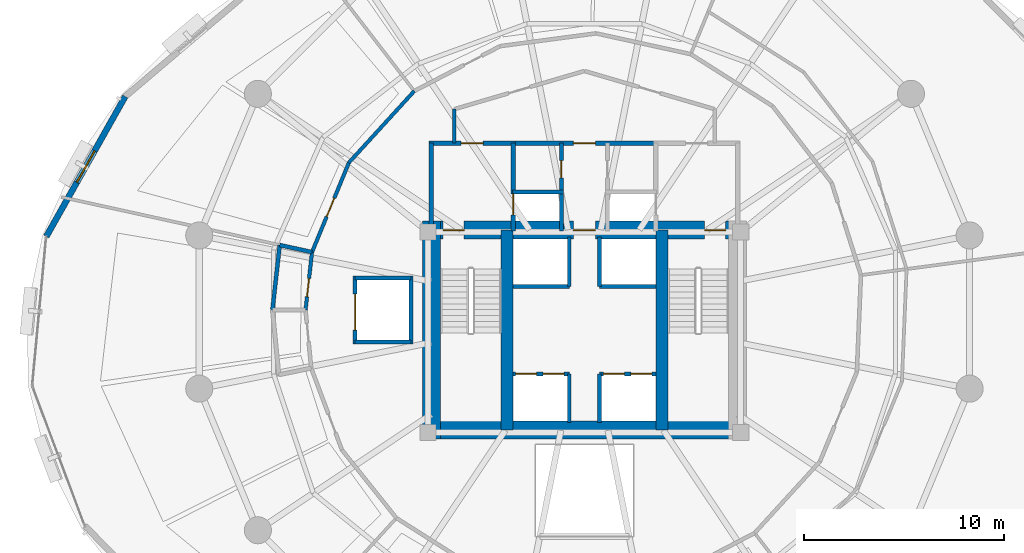
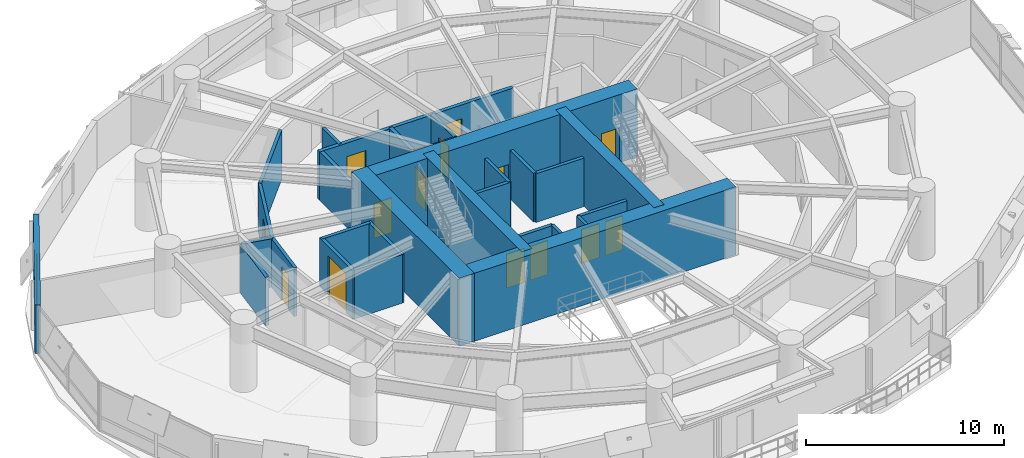
# One storey, part 12 of 17: 30 walls, 14 doors, 1 window, 15 openings.
"""IFC4 building model written with IfcOpenShell, lengths in metres."""

from ifc_helpers import new_model, si_unit, direction, frame, frame_2d, origin, place, context, subcontext, project, spatial, rectangle, extrude, material, layer, layer_set, type_object, element, fill, save


model = new_model("IFC4")

# Units and contexts
model_context = context("Model", 3, precision=1e-05, world=origin(), true_north=direction((0.0, 1.0)))
body_context = subcontext(model_context, "Body", "Model", "MODEL_VIEW")
ifc_project = project(units=[si_unit("LENGTHUNIT", "METRE"), si_unit("AREAUNIT", "SQUARE_METRE"), si_unit("VOLUMEUNIT", "CUBIC_METRE"), si_unit("PLANEANGLEUNIT", "RADIAN"), si_unit("MASSUNIT", "GRAM", prefix="KILO"), si_unit("THERMODYNAMICTEMPERATUREUNIT", "KELVIN"), si_unit("POWERUNIT", "WATT")], contexts=[model_context])

# Site, building, storey
site_placement = place(None, origin())
site = spatial("IfcSite", under=ifc_project, at=site_placement, CompositionType="ELEMENT")
building_placement = place(site_placement, origin())
building = spatial("IfcBuilding", under=site, at=building_placement, Name="Ocrelia Relay Tower", CompositionType="ELEMENT")
storey_placement = place(building_placement, frame((0.0, 0.0, 63.60009765625)))
storey = spatial("IfcBuildingStorey", under=building, at=storey_placement, Name="L14", CompositionType="ELEMENT", Elevation=63.60009765625)

# Wall
ifc_material_1 = material(Name="Concrete C70/85", Category="concrete")
ifc_layer_1 = layer(ifc_material_1, 0.89990234375, Name="Concrete C70/85")
ifc_layer_set_1 = layer_set([ifc_layer_1], Name="Concrete C70/85")
wall_type_1 = type_object("IfcWallType", Name="CW-CORE-900", PredefinedType="SHEAR", material=ifc_layer_set_1)
wall_1_placement = place(storey_placement, frame((25.922119140625, 20.112060546875, 0.0), z_axis=(0.0, 0.0, 1.0), x_axis=(1.0, 0.0, 0.0)))
element("IfcWall", 1, at=wall_1_placement, inside=storey, type_object=wall_type_1, Name="L14 Core Shear Wall S", PredefinedType="SHEAR", context=body_context, shape_type="SweptSolid", body=[
    extrude(rectangle(XDim=16.165771484375, YDim=0.89990234375, at=frame_2d((8.0830078125, 0.0))), origin(), (0.0, 0.0, 1.0), 4.199951171875),
])

# Wall, openings, doors
wall_2_placement = place(storey_placement, frame((25.922119140625, 30.087890625, 0.0), z_axis=(0.0, 0.0, 1.0), x_axis=(1.0, 0.0, 0.0)))
wall_2 = element("IfcWall", 2, at=wall_2_placement, inside=storey, type_object=wall_type_1, Name="L14 Core Shear Wall N", PredefinedType="SHEAR", context=body_context, shape_type="SweptSolid", body=[
    extrude(rectangle(XDim=16.165771484375, YDim=0.89990234375, at=frame_2d((8.0830078125, 0.0))), origin(), (0.0, 0.0, 1.0), 4.199951171875),
])
opening_1_placement = place(wall_2_placement, frame((1.028076171875, 0.0, 0.0)))
opening_1 = element("IfcOpeningElement", 3, at=opening_1_placement, cuts=wall_2, Name="Opening D-FD90", PredefinedType="OPENING", context=body_context, shape_type="SweptSolid", body=[
    extrude(rectangle(XDim=1.050048828125, YDim=2.14990234375, at=frame_2d((0.52490234375, 1.074951171875))), frame((0.0, 0.4599609375, 0.0), z_axis=(0.0, -1.0, 0.0), x_axis=(1.0, 0.0, 0.0)), (0.0, 0.0, 1.0), 0.919921875),
])
opening_2_placement = place(wall_2_placement, frame((14.077880859375, 0.0, 0.0)))
opening_2 = element("IfcOpeningElement", 4, at=opening_2_placement, cuts=wall_2, Name="Opening D-FD90", PredefinedType="OPENING", context=body_context, shape_type="SweptSolid", body=[
    extrude(rectangle(XDim=1.050048828125, YDim=2.14990234375, at=frame_2d((0.52490234375, 1.074951171875))), frame((0.0, 0.4599609375, 0.0), z_axis=(0.0, -1.0, 0.0), x_axis=(1.0, 0.0, 0.0)), (0.0, 0.0, 1.0), 0.919921875),
])
opening_3_placement = place(wall_2_placement, frame((7.528076171875, 0.0, 0.0)))
opening_3 = element("IfcOpeningElement", 5, at=opening_3_placement, cuts=wall_2, Name="Opening D-FD60", PredefinedType="OPENING", context=body_context, shape_type="SweptSolid", body=[
    extrude(rectangle(XDim=1.10009765625, YDim=2.14990234375, at=frame_2d((0.550048828125, 1.074951171875))), frame((0.0, 0.4599609375, 0.0), z_axis=(0.0, -1.0, 0.0), x_axis=(1.0, 0.0, 0.0)), (0.0, 0.0, 1.0), 0.919921875),
])
ifc_material_2 = material(Name="Timber-core 60-min acoustic fire door", Category="wood")
door_type_1 = type_object("IfcDoorType", Name="DR-LOBBY-FD60-1100", OperationType="NOTDEFINED", PredefinedType="DOOR", material=ifc_material_2)
door_1_placement = place(opening_3_placement, origin())
door_1 = element("IfcDoor", 6, at=door_1_placement, inside=storey, type_object=door_type_1, Name="L14 Core Lift Lobby North Fire Door", OperationType="SINGLE_SWING_RIGHT", OverallHeight=2.14990234375, OverallWidth=1.10009765625, PredefinedType="DOOR", context=body_context, shape_type="SweptSolid", body=[
    extrude(rectangle(XDim=1.10009765625, YDim=2.14990234375, at=frame_2d((0.550048828125, 1.074951171875))), frame((0.0, 0.02490234375, 0.0), z_axis=(0.0, -1.0, 0.0), x_axis=(1.0, 0.0, 0.0)), (0.0, 0.0, 1.0), 0.050048828125),
])
fill(opening_3, door_1)
ifc_material_3 = material(Name="Steel S355 90-min fire door", Category="steel")
door_type_2 = type_object("IfcDoorType", Name="DR-STAIR-FD90-1050", OperationType="NOTDEFINED", PredefinedType="DOOR", material=ifc_material_3)
door_2_placement = place(opening_1_placement, origin())
door_2 = element("IfcDoor", 7, at=door_2_placement, inside=storey, type_object=door_type_2, Name="L14 Stair ST1 Fire Door", OperationType="SINGLE_SWING_RIGHT", OverallHeight=2.14990234375, OverallWidth=1.050048828125, PredefinedType="DOOR", context=body_context, shape_type="SweptSolid", body=[
    extrude(rectangle(XDim=1.050048828125, YDim=2.14990234375, at=frame_2d((0.52490234375, 1.074951171875))), frame((0.0, 0.02490234375, 0.0), z_axis=(0.0, -1.0, 0.0), x_axis=(1.0, 0.0, 0.0)), (0.0, 0.0, 1.0), 0.050048828125),
])
fill(opening_1, door_2)
door_3_placement = place(opening_2_placement, origin())
door_3 = element("IfcDoor", 8, at=door_3_placement, inside=storey, type_object=door_type_2, Name="L14 Stair ST2 Fire Door", OperationType="SINGLE_SWING_LEFT", OverallHeight=2.14990234375, OverallWidth=1.050048828125, PredefinedType="DOOR", context=body_context, shape_type="SweptSolid", body=[
    extrude(rectangle(XDim=1.050048828125, YDim=2.14990234375, at=frame_2d((0.52490234375, 1.074951171875))), frame((0.0, 0.02490234375, 0.0), z_axis=(0.0, -1.0, 0.0), x_axis=(1.0, 0.0, 0.0)), (0.0, 0.0, 1.0), 0.050048828125),
])
fill(opening_2, door_3)

# Walls
wall_3_placement = place(storey_placement, frame((26.3720703125, 19.662109375, 0.0), z_axis=(0.0, 0.0, 1.0), x_axis=(0.0, 1.0, 0.0)))
element("IfcWall", 9, at=wall_3_placement, inside=storey, type_object=wall_type_1, Name="L14 Core Shear Wall W", PredefinedType="SHEAR", context=body_context, shape_type="SweptSolid", body=[
    extrude(rectangle(XDim=10.8759765625, YDim=0.89990234375, at=frame_2d((5.43798828125, 0.0))), origin(), (0.0, 0.0, 1.0), 4.199951171875),
])
for number, where, z_axis, x_axis, name in (
    (10, (30.137939453125, 20.112060546875, 0.0), (0.0, 0.0, 1.0), (0.0, 1.0, 0.0), "L14 Core Shear Wall SPW"),
    (11, (37.8720703125, 20.112060546875, 0.0), (0.0, 0.0, 1.0), (0.0, 1.0, 0.0), "L14 Core Shear Wall SPE"),
):
    element("IfcWall", number, at=place(storey_placement, frame(where, z_axis=z_axis, x_axis=x_axis)), inside=storey, type_object=wall_type_1, Name=name, PredefinedType="SHEAR", context=body_context, shape_type="SweptSolid", body=[
        extrude(rectangle(XDim=9.975830078125, YDim=0.60009765625, at=frame_2d((4.98779296875, 0.0))), origin(), (0.0, 0.0, 1.0), 4.199951171875),
    ])
ifc_material_4 = material(Name="Gypsum Fireboard Partition EI60", Category="gypsum")
ifc_layer_2 = layer(ifc_material_4, 0.179931640625, Name="Gypsum Fireboard Partition EI60")
ifc_layer_set_2 = layer_set([ifc_layer_2], Name="Gypsum Fireboard Partition EI60")
wall_type_2 = type_object("IfcWallType", Name="W-CORR-EI60-180", PredefinedType="PARTITIONING", material=ifc_layer_set_2)
wall_4_placement = place(storey_placement, frame((27.5, 34.429931640625, 0.0), z_axis=(0.0, 0.0, 1.0), x_axis=(0.0, 1.0, 0.0)))
element("IfcWall", 12, at=wall_4_placement, inside=storey, type_object=wall_type_2, Name="L14 Smoke Lobby West Return", PredefinedType="PARTITIONING", context=body_context, shape_type="SweptSolid", body=[
    extrude(rectangle(XDim=1.69287109375, YDim=0.179931640625, at=frame_2d((0.846435546875, 0.0))), origin(), (0.0, 0.0, 1.0), 3.0),
])

# Wall, opening, door
wall_5_placement = place(storey_placement, frame((20.40478515625, 28.989013671875, 0.0), z_axis=(0.0, 0.0, 1.0), x_axis=(-0.111499619196, -0.993764476583, 0.0)))
wall_5 = element("IfcWall", 13, at=wall_5_placement, inside=storey, type_object=wall_type_2, Name="L14 Staff Toilet Corridor Wall", PredefinedType="PARTITIONING", context=body_context, shape_type="SweptSolid", body=[
    extrude(rectangle(XDim=2.909912109375, YDim=0.179931640625, at=frame_2d((1.455078125, 0.0))), origin(), (0.0, 0.0, 1.0), 3.0),
])
opening_4_placement = place(wall_5_placement, frame((1.321044921875, 0.0, 0.0)))
opening_4 = element("IfcOpeningElement", 14, at=opening_4_placement, cuts=wall_5, Name="Opening D-WC92", PredefinedType="OPENING", context=body_context, shape_type="SweptSolid", body=[
    extrude(rectangle(XDim=0.919921875, YDim=2.10009765625, at=frame_2d((0.4599609375, 1.050048828125))), frame((0.0, 0.10009765625, 0.0), z_axis=(0.0, -1.0, 0.0), x_axis=(1.0, 0.0, 0.0)), (0.0, 0.0, 1.0), 0.199951171875),
])
ifc_material_5 = material(Name="Laminate washroom door", Category="wood")
door_type_3 = type_object("IfcDoorType", Name="DR-WC-920", OperationType="NOTDEFINED", PredefinedType="DOOR", material=ifc_material_5)
door_4_placement = place(opening_4_placement, origin())
door_4 = element("IfcDoor", 15, at=door_4_placement, inside=storey, type_object=door_type_3, Name="L14 Staff Toilet Door", OperationType="SINGLE_SWING_RIGHT", OverallHeight=2.10009765625, OverallWidth=0.919921875, PredefinedType="DOOR", context=body_context, shape_type="SweptSolid", body=[
    extrude(rectangle(XDim=0.919921875, YDim=2.10009765625, at=frame_2d((0.4599609375, 1.050048828125))), frame((0.0, 0.02490234375, 0.0), z_axis=(0.0, -1.0, 0.0), x_axis=(1.0, 0.0, 0.0)), (0.0, 0.0, 1.0), 0.050048828125),
])
fill(opening_4, door_4)

# Wall
wall_6_placement = place(storey_placement, frame((25.5068359375, 37.02880859375, 0.0), z_axis=(0.0, 0.0, 1.0), x_axis=(-0.674284930573, -0.738471280689, 0.0)))
element("IfcWall", 16, at=wall_6_placement, inside=storey, type_object=wall_type_2, Name="L14 Executive Reading Study Corridor Partition 1", PredefinedType="PARTITIONING", context=body_context, shape_type="SweptSolid", body=[
    extrude(rectangle(XDim=4.83447265625, YDim=0.179931640625, at=frame_2d((2.417236328125, 0.0))), origin(), (0.0, 0.0, 1.0), 3.0),
])

# Wall, opening, door
wall_7_placement = place(storey_placement, frame((22.2470703125, 33.458740234375, 0.0), z_axis=(0.0, 0.0, 1.0), x_axis=(-0.381069812318, -0.92454626609, 0.0)))
wall_7 = element("IfcWall", 17, at=wall_7_placement, inside=storey, type_object=wall_type_2, Name="L14 Executive Reading Study Corridor Partition 2", PredefinedType="PARTITIONING", context=body_context, shape_type="SweptSolid", body=[
    extrude(rectangle(XDim=4.83447265625, YDim=0.179931640625, at=frame_2d((2.417236328125, 0.0))), origin(), (0.0, 0.0, 1.0), 3.0),
])
opening_5_placement = place(wall_7_placement, frame((1.917236328125, 0.0, 0.0)))
opening_5 = element("IfcOpeningElement", 18, at=opening_5_placement, cuts=wall_7, Name="Opening D-RM100", PredefinedType="OPENING", context=body_context, shape_type="SweptSolid", body=[
    extrude(rectangle(XDim=1.0, YDim=2.14990234375, at=frame_2d((0.5, 1.074951171875))), frame((0.0, 0.10009765625, 0.0), z_axis=(0.0, -1.0, 0.0), x_axis=(1.0, 0.0, 0.0)), (0.0, 0.0, 1.0), 0.199951171875),
])
ifc_material_6 = material(Name="Acoustic oak veneer fire door", Category="wood")
door_type_4 = type_object("IfcDoorType", Name="DR-ROOM-FD60-1000", OperationType="NOTDEFINED", PredefinedType="DOOR", material=ifc_material_6)
door_5_placement = place(opening_5_placement, origin())
door_5 = element("IfcDoor", 19, at=door_5_placement, inside=storey, type_object=door_type_4, Name="L14 Executive Reading Study Entrance Door", OperationType="SINGLE_SWING_LEFT", OverallHeight=2.14990234375, OverallWidth=1.0, PredefinedType="DOOR", context=body_context, shape_type="SweptSolid", body=[
    extrude(rectangle(XDim=1.0, YDim=2.14990234375, at=frame_2d((0.5, 1.074951171875))), frame((0.0, 0.02490234375, 0.0), z_axis=(0.0, -1.0, 0.0), x_axis=(1.0, 0.0, 0.0)), (0.0, 0.0, 1.0), 0.050048828125),
])
fill(opening_5, door_5)

# Wall, opening, window
ifc_material_7 = material(Name="Precast concrete C40/50 with oxide terracotta", Category="masonry")
ifc_layer_3 = layer(ifc_material_7, 0.300048828125, Name="Precast concrete C40/50 with oxide terracotta")
ifc_layer_set_3 = layer_set([ifc_layer_3], Name="Precast concrete C40/50 with oxide terracotta")
wall_type_3 = type_object("IfcWallType", Name="W-EXT-TERR-300", PredefinedType="SOLIDWALL", material=ifc_layer_set_3)
wall_8_placement = place(storey_placement, frame((11.080322265625, 36.754638671875, 0.0), z_axis=(0.0, 0.0, 1.0), x_axis=(-0.490895470353, -0.871218478446, 0.0)))
wall_8 = element("IfcWall", 20, at=wall_8_placement, inside=storey, type_object=wall_type_3, Name="L14 Oxide Terracotta Facade Wall 08", PredefinedType="SOLIDWALL", context=body_context, shape_type="SweptSolid", body=[
    extrude(rectangle(XDim=8.021484375, YDim=0.300048828125, at=frame_2d((4.0107421875, 0.0))), origin(), (0.0, 0.0, 1.0), 3.0),
])
opening_6_placement = place(wall_8_placement, frame((3.111083984375, 0.0, 0.800048828125)))
opening_6 = element("IfcOpeningElement", 21, at=opening_6_placement, cuts=wall_8, Name="Opening W-02", PredefinedType="OPENING", context=body_context, shape_type="SweptSolid", body=[
    extrude(rectangle(XDim=1.800048828125, YDim=1.949951171875, at=frame_2d((0.89990234375, 0.97509765625))), frame((0.0, 0.16015625, 0.0), z_axis=(0.0, -1.0, 0.0), x_axis=(1.0, 0.0, 0.0)), (0.0, 0.0, 1.0), 0.320068359375),
])
ifc_material_8 = material(Name="Clear double-glazed low-E glass", Category="glass")
window_type = type_object("IfcWindowType", Name="WIN-Z1-1800x2100", PartitioningType="DOUBLE_PANEL_VERTICAL", PredefinedType="WINDOW", material=ifc_material_8)
window_placement = place(opening_6_placement, origin())
window = element("IfcWindow", 22, at=window_placement, inside=storey, type_object=window_type, Name="L14 Facade Module Window 08", OverallHeight=1.949951171875, OverallWidth=1.800048828125, PartitioningType="SINGLE_PANEL", PredefinedType="WINDOW", context=body_context, shape_type="SweptSolid", body=[
    extrude(rectangle(XDim=1.800048828125, YDim=1.949951171875, at=frame_2d((0.89990234375, 0.97509765625))), frame((0.0, 0.030029296875, 0.0), z_axis=(0.0, -1.0, 0.0), x_axis=(1.0, 0.0, 0.0)), (0.0, 0.0, 1.0), 0.06005859375),
])
fill(opening_6, window)

# Wall
ifc_material_9 = material(Name="Concrete C50/60", Category="concrete")
ifc_layer_4 = layer(ifc_material_9, 0.219970703125, Name="Concrete C50/60")
ifc_layer_set_4 = layer_set([ifc_layer_4], Name="Concrete C50/60")
wall_type_4 = type_object("IfcWallType", Name="W-FFL-EI120-220", PredefinedType="SOLIDWALL", material=ifc_layer_set_4)
wall_9_placement = place(storey_placement, frame((26.35009765625, 30.050048828125, 0.0), z_axis=(0.0, 0.0, 1.0), x_axis=(0.0, 1.0, 0.0)))
element("IfcWall", 23, at=wall_9_placement, inside=storey, type_object=wall_type_4, Name="L14 W Fire Service Lift Lobby West Wall", PredefinedType="SOLIDWALL", context=body_context, shape_type="SweptSolid", body=[
    extrude(rectangle(XDim=4.3798828125, YDim=0.219970703125, at=frame_2d((2.18994140625, 0.0))), origin(), (0.0, 0.0, 1.0), 3.0),
])

# Wall, opening, door
wall_10_placement = place(storey_placement, frame((30.43994140625, 30.050048828125, 0.0), z_axis=(0.0, 0.0, 1.0), x_axis=(0.0, 1.0, 0.0)))
wall_10 = element("IfcWall", 24, at=wall_10_placement, inside=storey, type_object=wall_type_4, Name="L14 W Fire Service Lift Lobby East Wall", PredefinedType="SOLIDWALL", context=body_context, shape_type="SweptSolid", body=[
    extrude(rectangle(XDim=4.3798828125, YDim=0.219970703125, at=frame_2d((2.18994140625, 0.0))), origin(), (0.0, 0.0, 1.0), 3.0),
])
opening_7_placement = place(wall_10_placement, frame((0.800048828125, 0.0, 0.0)))
opening_7 = element("IfcOpeningElement", 25, at=opening_7_placement, cuts=wall_10, Name="Opening LD-FFL1", PredefinedType="OPENING", context=body_context, shape_type="SweptSolid", body=[
    extrude(rectangle(XDim=1.050048828125, YDim=2.10009765625, at=frame_2d((0.52490234375, 1.050048828125))), frame((0.0, 0.1201171875, 0.0), z_axis=(0.0, -1.0, 0.0), x_axis=(1.0, 0.0, 0.0)), (0.0, 0.0, 1.0), 0.239990234375),
])
ifc_material_10 = material(Name="Brushed stainless steel S355 lift landing door", Category="steel")
door_type_5 = type_object("IfcDoorType", Name="DR-LIFT-LAND-1050", OperationType="DOUBLE_DOOR_SLIDING", PredefinedType="USERDEFINED", material=ifc_material_10)
door_6_placement = place(opening_7_placement, origin())
door_6 = element("IfcDoor", 26, at=door_6_placement, inside=storey, type_object=door_type_5, Name="L14 Firefighting Lift FFL1 Sliding Landing Door", ObjectType="LANDING DOOR", OperationType="DOUBLE_DOOR_SLIDING", OverallHeight=2.10009765625, OverallWidth=1.050048828125, PredefinedType="USERDEFINED", context=body_context, shape_type="SweptSolid", body=[
    extrude(rectangle(XDim=1.050048828125, YDim=2.10009765625, at=frame_2d((0.52490234375, 1.050048828125))), frame((0.0, 0.02490234375, 0.0), z_axis=(0.0, -1.0, 0.0), x_axis=(1.0, 0.0, 0.0)), (0.0, 0.0, 1.0), 0.050048828125),
])
fill(opening_7, door_6)

wall_11_placement = place(storey_placement, frame((26.239990234375, 34.429931640625, 0.0), z_axis=(0.0, 0.0, 1.0), x_axis=(1.0, 0.0, 0.0)))
wall_11 = element("IfcWall", 27, at=wall_11_placement, inside=storey, type_object=wall_type_4, Name="L14 W Fire Service Lift Lobby North Wall", PredefinedType="SOLIDWALL", context=body_context, shape_type="SweptSolid", body=[
    extrude(rectangle(XDim=4.31005859375, YDim=0.219970703125, at=frame_2d((2.155029296875, 0.0))), origin(), (0.0, 0.0, 1.0), 3.0),
])
opening_8_placement = place(wall_11_placement, frame((1.60009765625, 0.0, 0.0)))
opening_8 = element("IfcOpeningElement", 28, at=opening_8_placement, cuts=wall_11, Name="Opening D-FD60", PredefinedType="OPENING", context=body_context, shape_type="SweptSolid", body=[
    extrude(rectangle(XDim=1.10009765625, YDim=2.14990234375, at=frame_2d((0.550048828125, 1.074951171875))), frame((0.0, 0.1201171875, 0.0), z_axis=(0.0, -1.0, 0.0), x_axis=(1.0, 0.0, 0.0)), (0.0, 0.0, 1.0), 0.239990234375),
])
door_7_placement = place(opening_8_placement, origin())
door_7 = element("IfcDoor", 29, at=door_7_placement, inside=storey, type_object=door_type_1, Name="L14 W Fire Service Lift Lobby Exit Door", OperationType="SINGLE_SWING_LEFT", OverallHeight=2.14990234375, OverallWidth=1.10009765625, PredefinedType="DOOR", context=body_context, shape_type="SweptSolid", body=[
    extrude(rectangle(XDim=1.10009765625, YDim=2.14990234375, at=frame_2d((0.550048828125, 1.074951171875))), frame((0.0, 0.02490234375, 0.0), z_axis=(0.0, -1.0, 0.0), x_axis=(1.0, 0.0, 0.0)), (0.0, 0.0, 1.0), 0.050048828125),
])
fill(opening_8, door_7)

wall_12_placement = place(storey_placement, frame((30.43994140625, 34.429931640625, 0.0), z_axis=(0.0, 0.0, 1.0), x_axis=(1.0, 0.0, 0.0)))
wall_12 = element("IfcWall", 30, at=wall_12_placement, inside=storey, type_object=wall_type_4, Name="L14 North Core Vestibule Wall", PredefinedType="SOLIDWALL", context=body_context, shape_type="SweptSolid", body=[
    extrude(rectangle(XDim=7.1201171875, YDim=0.219970703125, at=frame_2d((3.56005859375, 0.0))), origin(), (0.0, 0.0, 1.0), 3.0),
])
opening_9_placement = place(wall_12_placement, frame((3.010009765625, 0.0, 0.0)))
opening_9 = element("IfcOpeningElement", 31, at=opening_9_placement, cuts=wall_12, Name="Opening D-FD60", PredefinedType="OPENING", context=body_context, shape_type="SweptSolid", body=[
    extrude(rectangle(XDim=1.10009765625, YDim=2.14990234375, at=frame_2d((0.550048828125, 1.074951171875))), frame((0.0, 0.1201171875, 0.0), z_axis=(0.0, -1.0, 0.0), x_axis=(1.0, 0.0, 0.0)), (0.0, 0.0, 1.0), 0.239990234375),
])
door_8_placement = place(opening_9_placement, origin())
door_8 = element("IfcDoor", 32, at=door_8_placement, inside=storey, type_object=door_type_1, Name="L14 North Core Vestibule Corridor Door", OperationType="SINGLE_SWING_LEFT", OverallHeight=2.14990234375, OverallWidth=1.10009765625, PredefinedType="DOOR", context=body_context, shape_type="SweptSolid", body=[
    extrude(rectangle(XDim=1.10009765625, YDim=2.14990234375, at=frame_2d((0.550048828125, 1.074951171875))), frame((0.0, 0.02490234375, 0.0), z_axis=(0.0, -1.0, 0.0), x_axis=(1.0, 0.0, 0.0)), (0.0, 0.0, 1.0), 0.050048828125),
])
fill(opening_9, door_8)

# Walls
ifc_material_11 = material(Name="Moisture-Resistant Fireboard Chase Wall EI60", Category="gypsum")
ifc_layer_5 = layer(ifc_material_11, 0.199951171875, Name="Moisture-Resistant Fireboard Chase Wall EI60")
ifc_layer_set_5 = layer_set([ifc_layer_5], Name="Moisture-Resistant Fireboard Chase Wall EI60")
wall_type_5 = type_object("IfcWallType", Name="W-PLUMB-200", PredefinedType="PLUMBINGWALL", material=ifc_layer_set_5)
wall_13_placement = place(storey_placement, frame((20.40478515625, 28.989013671875, 0.0), z_axis=(0.0, 0.0, 1.0), x_axis=(-0.976651296643, 0.21483073515, 0.0)))
element("IfcWall", 33, at=wall_13_placement, inside=storey, type_object=wall_type_5, Name="L14 Staff Toilet Plumbing Radial Wall", PredefinedType="PLUMBINGWALL", context=body_context, shape_type="SweptSolid", body=[
    extrude(rectangle(XDim=1.650146484375, YDim=0.199951171875, at=frame_2d((0.8251953125, 0.0))), origin(), (0.0, 0.0, 1.0), 3.0),
])
wall_14_placement = place(storey_placement, frame((18.793212890625, 29.343505859375, 0.0), z_axis=(0.0, 0.0, 1.0), x_axis=(-0.111452219872, -0.993769793607, 0.0)))
element("IfcWall", 34, at=wall_14_placement, inside=storey, type_object=wall_type_5, Name="L14 Staff Toilet Back Plumbing Wall", PredefinedType="PLUMBINGWALL", context=body_context, shape_type="SweptSolid", body=[
    extrude(rectangle(XDim=3.255126953125, YDim=0.199951171875, at=frame_2d((1.62744140625, 0.0))), origin(), (0.0, 0.0, 1.0), 3.0),
])
ifc_layer_6 = layer(ifc_material_9, 0.199951171875, Name="Concrete C50/60")
ifc_layer_set_6 = layer_set([ifc_layer_6], Name="Concrete C50/60")
wall_type_6 = type_object("IfcWallType", Name="W-SHAFT-EI120-200", PredefinedType="SOLIDWALL", material=ifc_layer_set_6)
wall_15_placement = place(storey_placement, frame((30.39990234375, 32.0, 0.0), z_axis=(0.0, 0.0, 1.0), x_axis=(1.0, 0.0, 0.0)))
element("IfcWall", 35, at=wall_15_placement, inside=storey, type_object=wall_type_6, Name="L14 FFL1 Hoistway North Wall", PredefinedType="SOLIDWALL", context=body_context, shape_type="SweptSolid", body=[
    extrude(rectangle(XDim=2.550048828125, YDim=0.199951171875, at=frame_2d((1.27490234375, 0.0))), origin(), (0.0, 0.0, 1.0), 3.0),
])

# Wall, opening, door
wall_16_placement = place(storey_placement, frame((32.85009765625, 30.050048828125, 0.0), z_axis=(0.0, 0.0, 1.0), x_axis=(0.0, 1.0, 0.0)))
wall_16 = element("IfcWall", 36, at=wall_16_placement, inside=storey, type_object=wall_type_6, Name="L14 FFL1 and Service Vestibule Wall", PredefinedType="SOLIDWALL", context=body_context, shape_type="SweptSolid", body=[
    extrude(rectangle(XDim=4.3798828125, YDim=0.199951171875, at=frame_2d((2.18994140625, 0.0))), origin(), (0.0, 0.0, 1.0), 3.0),
])
opening_10_placement = place(wall_16_placement, frame((2.64990234375, 0.0, 0.0)))
opening_10 = element("IfcOpeningElement", 37, at=opening_10_placement, cuts=wall_16, Name="Opening D-RS86", PredefinedType="OPENING", context=body_context, shape_type="SweptSolid", body=[
    extrude(rectangle(XDim=0.860107421875, YDim=2.050048828125, at=frame_2d((0.43017578125, 1.02490234375))), frame((0.0, 0.10986328125, 0.0), z_axis=(0.0, -1.0, 0.0), x_axis=(1.0, 0.0, 0.0)), (0.0, 0.0, 1.0), 0.219970703125),
])
ifc_material_12 = material(Name="Steel S355 riser access fire door", Category="steel")
door_type_6 = type_object("IfcDoorType", Name="DR-RISER-TRAP-860", OperationType="NOTDEFINED", PredefinedType="TRAPDOOR", material=ifc_material_12)
door_9_placement = place(opening_10_placement, origin())
door_9 = element("IfcDoor", 38, at=door_9_placement, inside=storey, type_object=door_type_6, Name="L14 Core Support Room W Door", OperationType="SINGLE_SWING_RIGHT", OverallHeight=2.050048828125, OverallWidth=0.860107421875, PredefinedType="TRAPDOOR", context=body_context, shape_type="SweptSolid", body=[
    extrude(rectangle(XDim=0.860107421875, YDim=2.050048828125, at=frame_2d((0.43017578125, 1.02490234375))), frame((0.0, 0.02490234375, 0.0), z_axis=(0.0, -1.0, 0.0), x_axis=(1.0, 0.0, 0.0)), (0.0, 0.0, 1.0), 0.050048828125),
])
fill(opening_10, door_9)

# Wall, openings, doors
wall_17_placement = place(storey_placement, frame((30.43994140625, 22.919921875, 0.0), z_axis=(0.0, 0.0, 1.0), x_axis=(1.0, 0.0, 0.0)))
wall_17 = element("IfcWall", 39, at=wall_17_placement, inside=storey, type_object=wall_type_6, Name="L14 Low-Rise Lift Hoistway Wall W", PredefinedType="SOLIDWALL", context=body_context, shape_type="SweptSolid", body=[
    extrude(rectangle(XDim=2.81005859375, YDim=0.199951171875, at=frame_2d((1.405029296875, 0.0))), origin(), (0.0, 0.0, 1.0), 3.0),
])
opening_11_placement = place(wall_17_placement, frame((0.1201171875, 0.0, 0.0)))
opening_11 = element("IfcOpeningElement", 40, at=opening_11_placement, cuts=wall_17, Name="Opening LD-PL1", PredefinedType="OPENING", context=body_context, shape_type="SweptSolid", body=[
    extrude(rectangle(XDim=1.050048828125, YDim=2.10009765625, at=frame_2d((0.52490234375, 1.050048828125))), frame((0.0, 0.10986328125, 0.0), z_axis=(0.0, -1.0, 0.0), x_axis=(1.0, 0.0, 0.0)), (0.0, 0.0, 1.0), 0.219970703125),
])
opening_12_placement = place(wall_17_placement, frame((1.5, 0.0, 0.0)))
opening_12 = element("IfcOpeningElement", 41, at=opening_12_placement, cuts=wall_17, Name="Opening LD-PL2", PredefinedType="OPENING", context=body_context, shape_type="SweptSolid", body=[
    extrude(rectangle(XDim=1.050048828125, YDim=2.10009765625, at=frame_2d((0.52490234375, 1.050048828125))), frame((0.0, 0.10986328125, 0.0), z_axis=(0.0, -1.0, 0.0), x_axis=(1.0, 0.0, 0.0)), (0.0, 0.0, 1.0), 0.219970703125),
])
door_10_placement = place(opening_11_placement, origin())
door_10 = element("IfcDoor", 42, at=door_10_placement, inside=storey, type_object=door_type_5, Name="L14 Passenger Lift PL1 Sliding Landing Door", ObjectType="LANDING DOOR", OperationType="DOUBLE_DOOR_SLIDING", OverallHeight=2.10009765625, OverallWidth=1.050048828125, PredefinedType="USERDEFINED", context=body_context, shape_type="SweptSolid", body=[
    extrude(rectangle(XDim=1.050048828125, YDim=2.10009765625, at=frame_2d((0.52490234375, 1.050048828125))), frame((0.0, 0.02490234375, 0.0), z_axis=(0.0, -1.0, 0.0), x_axis=(1.0, 0.0, 0.0)), (0.0, 0.0, 1.0), 0.050048828125),
])
fill(opening_11, door_10)
door_11_placement = place(opening_12_placement, origin())
door_11 = element("IfcDoor", 43, at=door_11_placement, inside=storey, type_object=door_type_5, Name="L14 Passenger Lift PL2 Sliding Landing Door", ObjectType="LANDING DOOR", OperationType="DOUBLE_DOOR_SLIDING", OverallHeight=2.10009765625, OverallWidth=1.050048828125, PredefinedType="USERDEFINED", context=body_context, shape_type="SweptSolid", body=[
    extrude(rectangle(XDim=1.050048828125, YDim=2.10009765625, at=frame_2d((0.52490234375, 1.050048828125))), frame((0.0, 0.02490234375, 0.0), z_axis=(0.0, -1.0, 0.0), x_axis=(1.0, 0.0, 0.0)), (0.0, 0.0, 1.0), 0.050048828125),
])
fill(opening_12, door_11)

# Wall
wall_18_placement = place(storey_placement, frame((33.25, 20.5, 0.0), z_axis=(0.0, 0.0, 1.0), x_axis=(0.0, 1.0, 0.0)))
element("IfcWall", 44, at=wall_18_placement, inside=storey, type_object=wall_type_6, Name="L14 Low-Rise Lift Throat Wall W", PredefinedType="SOLIDWALL", context=body_context, shape_type="SweptSolid", body=[
    extrude(rectangle(XDim=2.419921875, YDim=0.179931640625, at=frame_2d((1.2099609375, 0.0))), origin(), (0.0, 0.0, 1.0), 3.0),
])

# Wall, openings, doors
wall_19_placement = place(storey_placement, frame((34.75, 22.919921875, 0.0), z_axis=(0.0, 0.0, 1.0), x_axis=(1.0, 0.0, 0.0)))
wall_19 = element("IfcWall", 45, at=wall_19_placement, inside=storey, type_object=wall_type_6, Name="L14 Low-Rise Lift Hoistway Wall E", PredefinedType="SOLIDWALL", context=body_context, shape_type="SweptSolid", body=[
    extrude(rectangle(XDim=2.81005859375, YDim=0.199951171875, at=frame_2d((1.405029296875, 0.0))), origin(), (0.0, 0.0, 1.0), 3.0),
])
opening_13_placement = place(wall_19_placement, frame((0.18994140625, 0.0, 0.0)))
opening_13 = element("IfcOpeningElement", 46, at=opening_13_placement, cuts=wall_19, Name="Opening LD-PL3", PredefinedType="OPENING", context=body_context, shape_type="SweptSolid", body=[
    extrude(rectangle(XDim=1.050048828125, YDim=2.10009765625, at=frame_2d((0.52490234375, 1.050048828125))), frame((0.0, 0.10986328125, 0.0), z_axis=(0.0, -1.0, 0.0), x_axis=(1.0, 0.0, 0.0)), (0.0, 0.0, 1.0), 0.219970703125),
])
opening_14_placement = place(wall_19_placement, frame((1.570068359375, 0.0, 0.0)))
opening_14 = element("IfcOpeningElement", 47, at=opening_14_placement, cuts=wall_19, Name="Opening LD-PL4", PredefinedType="OPENING", context=body_context, shape_type="SweptSolid", body=[
    extrude(rectangle(XDim=1.050048828125, YDim=2.10009765625, at=frame_2d((0.52490234375, 1.050048828125))), frame((0.0, 0.10986328125, 0.0), z_axis=(0.0, -1.0, 0.0), x_axis=(1.0, 0.0, 0.0)), (0.0, 0.0, 1.0), 0.219970703125),
])
door_12_placement = place(opening_13_placement, origin())
door_12 = element("IfcDoor", 48, at=door_12_placement, inside=storey, type_object=door_type_5, Name="L14 Passenger Lift PL3 Sliding Landing Door", ObjectType="LANDING DOOR", OperationType="DOUBLE_DOOR_SLIDING", OverallHeight=2.10009765625, OverallWidth=1.050048828125, PredefinedType="USERDEFINED", context=body_context, shape_type="SweptSolid", body=[
    extrude(rectangle(XDim=1.050048828125, YDim=2.10009765625, at=frame_2d((0.52490234375, 1.050048828125))), frame((0.0, 0.02490234375, 0.0), z_axis=(0.0, -1.0, 0.0), x_axis=(1.0, 0.0, 0.0)), (0.0, 0.0, 1.0), 0.050048828125),
])
fill(opening_13, door_12)
door_13_placement = place(opening_14_placement, origin())
door_13 = element("IfcDoor", 49, at=door_13_placement, inside=storey, type_object=door_type_5, Name="L14 Passenger Lift PL4 Sliding Landing Door", ObjectType="LANDING DOOR", OperationType="DOUBLE_DOOR_SLIDING", OverallHeight=2.10009765625, OverallWidth=1.050048828125, PredefinedType="USERDEFINED", context=body_context, shape_type="SweptSolid", body=[
    extrude(rectangle(XDim=1.050048828125, YDim=2.10009765625, at=frame_2d((0.52490234375, 1.050048828125))), frame((0.0, 0.02490234375, 0.0), z_axis=(0.0, -1.0, 0.0), x_axis=(1.0, 0.0, 0.0)), (0.0, 0.0, 1.0), 0.050048828125),
])
fill(opening_14, door_13)

# Walls
wall_20_placement = place(storey_placement, frame((34.75, 20.5, 0.0), z_axis=(0.0, 0.0, 1.0), x_axis=(0.0, 1.0, 0.0)))
element("IfcWall", 50, at=wall_20_placement, inside=storey, type_object=wall_type_6, Name="L14 Low-Rise Lift Throat Wall E", PredefinedType="SOLIDWALL", context=body_context, shape_type="SweptSolid", body=[
    extrude(rectangle(XDim=2.419921875, YDim=0.179931640625, at=frame_2d((1.2099609375, 0.0))), origin(), (0.0, 0.0, 1.0), 3.0),
])
wall_21_placement = place(storey_placement, frame((30.43994140625, 27.280029296875, 0.0), z_axis=(0.0, 0.0, 1.0), x_axis=(1.0, 0.0, 0.0)))
element("IfcWall", 51, at=wall_21_placement, inside=storey, type_object=wall_type_6, Name="L14 High-Rise Lift Hoistway Wall W", PredefinedType="SOLIDWALL", context=body_context, shape_type="SweptSolid", body=[
    extrude(rectangle(XDim=2.81005859375, YDim=0.199951171875, at=frame_2d((1.405029296875, 0.0))), origin(), (0.0, 0.0, 1.0), 3.0),
])
wall_22_placement = place(storey_placement, frame((33.25, 27.280029296875, 0.0), z_axis=(0.0, 0.0, 1.0), x_axis=(0.0, 1.0, 0.0)))
element("IfcWall", 52, at=wall_22_placement, inside=storey, type_object=wall_type_6, Name="L14 High-Rise Lift Throat Wall W", PredefinedType="SOLIDWALL", context=body_context, shape_type="SweptSolid", body=[
    extrude(rectangle(XDim=2.469970703125, YDim=0.179931640625, at=frame_2d((1.23486328125, 0.0))), origin(), (0.0, 0.0, 1.0), 3.0),
])
wall_23_placement = place(storey_placement, frame((34.75, 27.280029296875, 0.0), z_axis=(0.0, 0.0, 1.0), x_axis=(1.0, 0.0, 0.0)))
element("IfcWall", 53, at=wall_23_placement, inside=storey, type_object=wall_type_6, Name="L14 High-Rise Lift Hoistway Wall E", PredefinedType="SOLIDWALL", context=body_context, shape_type="SweptSolid", body=[
    extrude(rectangle(XDim=2.81005859375, YDim=0.199951171875, at=frame_2d((1.405029296875, 0.0))), origin(), (0.0, 0.0, 1.0), 3.0),
])
wall_24_placement = place(storey_placement, frame((34.75, 27.280029296875, 0.0), z_axis=(0.0, 0.0, 1.0), x_axis=(0.0, 1.0, 0.0)))
element("IfcWall", 54, at=wall_24_placement, inside=storey, type_object=wall_type_6, Name="L14 High-Rise Lift Throat Wall E", PredefinedType="SOLIDWALL", context=body_context, shape_type="SweptSolid", body=[
    extrude(rectangle(XDim=2.469970703125, YDim=0.179931640625, at=frame_2d((1.23486328125, 0.0))), origin(), (0.0, 0.0, 1.0), 3.0),
])

# Wall, opening, door
wall_25_placement = place(storey_placement, frame((22.550048828125, 24.39990234375, 0.0), z_axis=(0.0, 0.0, 1.0), x_axis=(0.0, 1.0, 0.0)))
wall_25 = element("IfcWall", 55, at=wall_25_placement, inside=storey, type_object=wall_type_6, Name="L14 Goods Lift Shaft West Wall", PredefinedType="SOLIDWALL", context=body_context, shape_type="SweptSolid", body=[
    extrude(rectangle(XDim=3.400146484375, YDim=0.199951171875, at=frame_2d((1.7001953125, 0.0))), origin(), (0.0, 0.0, 1.0), 3.0),
])
opening_15_placement = place(wall_25_placement, frame((0.699951171875, 0.0, 0.0)))
opening_15 = element("IfcOpeningElement", 56, at=opening_15_placement, cuts=wall_25, Name="Opening LD-GL1", PredefinedType="OPENING", context=body_context, shape_type="SweptSolid", body=[
    extrude(rectangle(XDim=1.800048828125, YDim=2.39990234375, at=frame_2d((0.89990234375, 1.199951171875))), frame((0.0, 0.10986328125, 0.0), z_axis=(0.0, -1.0, 0.0), x_axis=(1.0, 0.0, 0.0)), (0.0, 0.0, 1.0), 0.219970703125),
])
ifc_material_13 = material(Name="Heavy-duty stainless steel S355 goods landing door", Category="steel")
door_type_7 = type_object("IfcDoorType", Name="DR-GOODS-LAND-1800", OperationType="DOUBLE_DOOR_SLIDING", PredefinedType="USERDEFINED", material=ifc_material_13)
door_14_placement = place(opening_15_placement, origin())
door_14 = element("IfcDoor", 57, at=door_14_placement, inside=storey, type_object=door_type_7, Name="L14 Goods Lift GL1 Sliding Landing Door", ObjectType="LANDING DOOR", OperationType="DOUBLE_DOOR_SLIDING", OverallHeight=2.39990234375, OverallWidth=1.800048828125, PredefinedType="USERDEFINED", context=body_context, shape_type="SweptSolid", body=[
    extrude(rectangle(XDim=1.800048828125, YDim=2.39990234375, at=frame_2d((0.89990234375, 1.199951171875))), frame((0.0, 0.02490234375, 0.0), z_axis=(0.0, -1.0, 0.0), x_axis=(1.0, 0.0, 0.0)), (0.0, 0.0, 1.0), 0.050048828125),
])
fill(opening_15, door_14)

# Walls
wall_26_placement = place(storey_placement, frame((25.35009765625, 24.39990234375, 0.0), z_axis=(0.0, 0.0, 1.0), x_axis=(0.0, 1.0, 0.0)))
element("IfcWall", 58, at=wall_26_placement, inside=storey, type_object=wall_type_6, Name="L14 Goods Lift Shaft E Wall", PredefinedType="SOLIDWALL", context=body_context, shape_type="SweptSolid", body=[
    extrude(rectangle(XDim=3.400146484375, YDim=0.199951171875, at=frame_2d((1.7001953125, 0.0))), origin(), (0.0, 0.0, 1.0), 3.0),
])
for number, where, z_axis, x_axis, name in (
    (59, (22.550048828125, 24.5, 0.0), (0.0, 0.0, 1.0), (1.0, 0.0, 0.0), "L14 Goods Lift Shaft S Wall"),
    (60, (22.550048828125, 27.699951171875, 0.0), (0.0, 0.0, 1.0), (1.0, 0.0, 0.0), "L14 Goods Lift Shaft N Wall"),
):
    element("IfcWall", number, at=place(storey_placement, frame(where, z_axis=z_axis, x_axis=x_axis)), inside=storey, type_object=wall_type_6, Name=name, PredefinedType="SOLIDWALL", context=body_context, shape_type="SweptSolid", body=[
        extrude(rectangle(XDim=2.800048828125, YDim=0.199951171875, at=frame_2d((1.39990234375, 0.0))), origin(), (0.0, 0.0, 1.0), 3.0),
    ])

save(model, "model.ifc")
